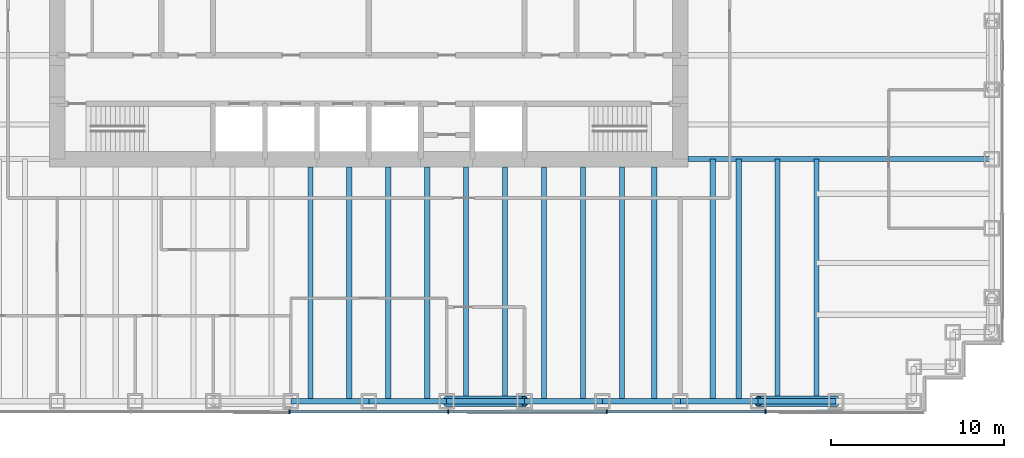
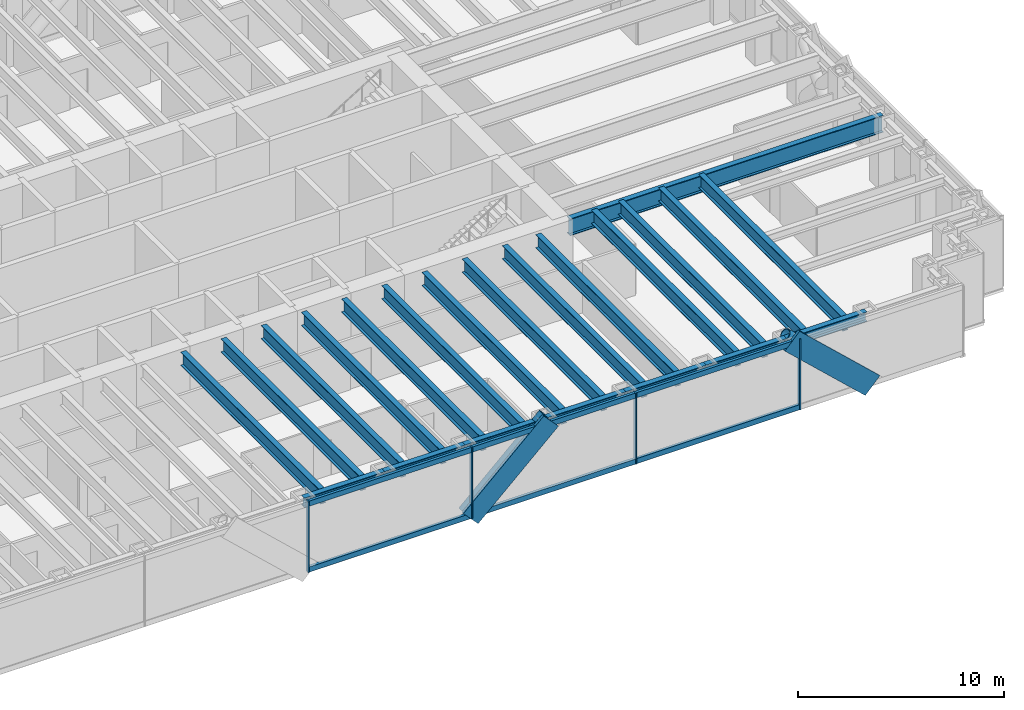
# One storey, part 4 of 17: 22 beams, 14 members, 1 element without a shape of its own.
"""IFC4 building model written with IfcOpenShell, lengths in metres."""

from ifc_helpers import new_model, si_unit, direction, frame, origin, origin_2d, place, context, subcontext, project, spatial, rectangle, hollow_circle, i_section, extrude, material, material_profile, profile_set, type_object, element, aggregate, save


model = new_model("IFC4")

# Units and contexts
model_context = context("Model", 3, precision=1e-05, world=origin(), true_north=direction((0.0, 1.0)))
body_context = subcontext(model_context, "Body", "Model", "MODEL_VIEW")
ifc_project = project(units=[si_unit("LENGTHUNIT", "METRE"), si_unit("AREAUNIT", "SQUARE_METRE"), si_unit("VOLUMEUNIT", "CUBIC_METRE"), si_unit("PLANEANGLEUNIT", "RADIAN"), si_unit("MASSUNIT", "GRAM", prefix="KILO")], contexts=[model_context])

# Site, building, storey
site_placement = place(None, origin())
site = spatial("IfcSite", under=ifc_project, at=site_placement, CompositionType="ELEMENT")
building_placement = place(site_placement, origin())
building = spatial("IfcBuilding", under=site, at=building_placement, Name="Rheinbord Bourse Tower", CompositionType="ELEMENT")
storey_placement = place(building_placement, frame((0.0, 0.0, 159.300048828125)))
storey = spatial("IfcBuildingStorey", under=building, at=storey_placement, Name="L35", CompositionType="ELEMENT", Elevation=159.300048828125)

# Curtain wall, members
ifc_material_1 = material(Name="Dark glass and black aluminium", Category="aluminium")
curtain_wall_type = type_object("IfcCurtainWallType", Name="CW2 DARK GLASS CURTAIN WALL", PredefinedType="USERDEFINED", material=ifc_material_1)
curtain_wall_placement = place(storey_placement, origin())
curtain_wall = element("IfcCurtainWall", 1, at=curtain_wall_placement, inside=storey, type_object=curtain_wall_type, Name="Curtain wall CW2 S L35", ObjectType="UNITISED CURTAIN WALL", PredefinedType="USERDEFINED")
ifc_material_2 = material(Name="Black anodised aluminium", Category="aluminium")
ifc_material_profile_1 = material_profile(ifc_material_2, rectangle(XDim=0.159912109375, YDim=1.2099609375, at=origin_2d()), Name="CW2 DIAGONAL MULLION 1210x160")
ifc_profile_set_1 = profile_set([ifc_material_profile_1], Name="Black anodised aluminium")
member_type_1 = type_object("IfcMemberType", Name="CW2 BLACK DIAGONAL MULLION", PredefinedType="USERDEFINED", material=ifc_profile_set_1)
member_1_placement = place(storey_placement, frame((40.5, 1.39990234375, 0.0), z_axis=(0.73105922506, 0.0, 0.682314010889), x_axis=(0.0, 1.0, 0.0)))
member_1 = element("IfcMember", 2, at=member_1_placement, type_object=member_type_1, Name="CW2 diagonal mullion a", ObjectType="DIAGONAL MULLION", PredefinedType="USERDEFINED", context=body_context, shape_type="SweptSolid", body=[
    extrude(rectangle(XDim=0.159912109375, YDim=1.2099609375, at=origin_2d()), origin(), (0.0, 0.0, 1.0), 6.155517578125),
])
member_2_placement = place(storey_placement, frame((63.0, 1.39990234375, 0.0), z_axis=(-0.73105922506, 0.0, 0.682314010889), x_axis=(0.0, -1.0, 0.0)))
member_2 = element("IfcMember", 3, at=member_2_placement, type_object=member_type_1, Name="CW2 diagonal mullion c", ObjectType="DIAGONAL MULLION", PredefinedType="USERDEFINED", context=body_context, shape_type="SweptSolid", body=[
    extrude(rectangle(XDim=0.159912109375, YDim=1.2099609375, at=origin_2d()), origin(), (0.0, 0.0, 1.0), 6.155517578125),
])
ifc_material_3 = material(Name="Black anodised aluminium", Category="aluminium")
ifc_material_profile_2 = material_profile(ifc_material_3, rectangle(XDim=0.219970703125, YDim=0.070068359375, at=origin_2d()), Name="CW2 MULLION 70x220")
ifc_profile_set_2 = profile_set([ifc_material_profile_2], Name="Black anodised aluminium")
member_type_2 = type_object("IfcMemberType", Name="CW2 BLACK MULLION", PredefinedType="MULLION", material=ifc_profile_set_2)
member_3_placement = place(storey_placement, frame((31.414306640625, 1.39990234375, 0.0), z_axis=(0.0, 0.0, 1.0), x_axis=(0.0, 1.0, 0.0)))
member_3 = element("IfcMember", 4, at=member_3_placement, type_object=member_type_2, Name="CW2 mullion 4", PredefinedType="MULLION", context=body_context, shape_type="SweptSolid", body=[
    extrude(rectangle(XDim=0.219970703125, YDim=0.070068359375, at=origin_2d()), origin(), (0.0, 0.0, 1.0), 4.199951171875),
])
member_4_placement = place(storey_placement, frame((40.585693359375, 1.39990234375, 0.0), z_axis=(0.0, 0.0, 1.0), x_axis=(0.0, 1.0, 0.0)))
member_4 = element("IfcMember", 5, at=member_4_placement, type_object=member_type_2, Name="CW2 mullion 5", PredefinedType="MULLION", context=body_context, shape_type="SweptSolid", body=[
    extrude(rectangle(XDim=0.219970703125, YDim=0.070068359375, at=origin_2d()), origin(), (0.0, 0.0, 1.0), 4.199951171875),
])
member_5_placement = place(storey_placement, frame((49.757080078125, 1.39990234375, 0.0), z_axis=(0.0, 0.0, 1.0), x_axis=(0.0, 1.0, 0.0)))
member_5 = element("IfcMember", 6, at=member_5_placement, type_object=member_type_2, Name="CW2 mullion 6", PredefinedType="MULLION", context=body_context, shape_type="SweptSolid", body=[
    extrude(rectangle(XDim=0.219970703125, YDim=0.070068359375, at=origin_2d()), origin(), (0.0, 0.0, 1.0), 4.199951171875),
])
member_6_placement = place(storey_placement, frame((58.928466796875, 1.39990234375, 0.0), z_axis=(0.0, 0.0, 1.0), x_axis=(0.0, 1.0, 0.0)))
member_6 = element("IfcMember", 7, at=member_6_placement, type_object=member_type_2, Name="CW2 mullion 7", PredefinedType="MULLION", context=body_context, shape_type="SweptSolid", body=[
    extrude(rectangle(XDim=0.219970703125, YDim=0.070068359375, at=origin_2d()), origin(), (0.0, 0.0, 1.0), 4.199951171875),
])
ifc_material_4 = material(Name="Black anodised aluminium", Category="aluminium")
ifc_material_profile_3 = material_profile(ifc_material_4, rectangle(XDim=0.159912109375, YDim=0.300048828125, at=origin_2d()), Name="CW2 TRANSOM 300x160")
ifc_profile_set_3 = profile_set([ifc_material_profile_3], Name="Black anodised aluminium")
member_type_3 = type_object("IfcMemberType", Name="CW2 BLACK TRANSOM", PredefinedType="USERDEFINED", material=ifc_profile_set_3)
member_7_placement = place(storey_placement, frame((31.44921875, 1.39990234375, 0.14990234375), z_axis=(1.0, 0.0, 0.0), x_axis=(0.0, 1.0, 0.0)))
member_7 = element("IfcMember", 8, at=member_7_placement, type_object=member_type_3, Name="CW2 transom 4.1", ObjectType="TRANSOM", PredefinedType="USERDEFINED", context=body_context, shape_type="SweptSolid", body=[
    extrude(rectangle(XDim=0.159912109375, YDim=0.300048828125, at=origin_2d()), origin(), (0.0, 0.0, 1.0), 9.1015625),
])
member_8_placement = place(storey_placement, frame((31.44921875, 1.39990234375, 4.050048828125), z_axis=(1.0, 0.0, 0.0), x_axis=(0.0, 1.0, 0.0)))
member_8 = element("IfcMember", 9, at=member_8_placement, type_object=member_type_3, Name="CW2 transom 4.2", ObjectType="TRANSOM", PredefinedType="USERDEFINED", context=body_context, shape_type="SweptSolid", body=[
    extrude(rectangle(XDim=0.159912109375, YDim=0.300048828125, at=origin_2d()), origin(), (0.0, 0.0, 1.0), 9.1015625),
])
member_9_placement = place(storey_placement, frame((40.62060546875, 1.39990234375, 0.14990234375), z_axis=(1.0, 0.0, 0.0), x_axis=(0.0, 1.0, 0.0)))
member_9 = element("IfcMember", 10, at=member_9_placement, type_object=member_type_3, Name="CW2 transom 5.1", ObjectType="TRANSOM", PredefinedType="USERDEFINED", context=body_context, shape_type="SweptSolid", body=[
    extrude(rectangle(XDim=0.159912109375, YDim=0.300048828125, at=origin_2d()), origin(), (0.0, 0.0, 1.0), 9.1015625),
])
member_10_placement = place(storey_placement, frame((40.62060546875, 1.39990234375, 4.050048828125), z_axis=(1.0, 0.0, 0.0), x_axis=(0.0, 1.0, 0.0)))
member_10 = element("IfcMember", 11, at=member_10_placement, type_object=member_type_3, Name="CW2 transom 5.2", ObjectType="TRANSOM", PredefinedType="USERDEFINED", context=body_context, shape_type="SweptSolid", body=[
    extrude(rectangle(XDim=0.159912109375, YDim=0.300048828125, at=origin_2d()), origin(), (0.0, 0.0, 1.0), 9.1015625),
])
member_11_placement = place(storey_placement, frame((49.792236328125, 1.39990234375, 0.14990234375), z_axis=(1.0, 0.0, 0.0), x_axis=(0.0, 1.0, 0.0)))
member_11 = element("IfcMember", 12, at=member_11_placement, type_object=member_type_3, Name="CW2 transom 6.1", ObjectType="TRANSOM", PredefinedType="USERDEFINED", context=body_context, shape_type="SweptSolid", body=[
    extrude(rectangle(XDim=0.159912109375, YDim=0.300048828125, at=origin_2d()), origin(), (0.0, 0.0, 1.0), 9.101318359375),
])
member_12_placement = place(storey_placement, frame((49.792236328125, 1.39990234375, 4.050048828125), z_axis=(1.0, 0.0, 0.0), x_axis=(0.0, 1.0, 0.0)))
member_12 = element("IfcMember", 13, at=member_12_placement, type_object=member_type_3, Name="CW2 transom 6.2", ObjectType="TRANSOM", PredefinedType="USERDEFINED", context=body_context, shape_type="SweptSolid", body=[
    extrude(rectangle(XDim=0.159912109375, YDim=0.300048828125, at=origin_2d()), origin(), (0.0, 0.0, 1.0), 9.101318359375),
])
aggregate(curtain_wall, [member_3, member_4, member_5, member_6, member_7, member_8, member_9, member_10, member_11, member_12, member_1, member_2])

# Beams
ifc_material_5 = material(Name="Steel S460", Category="steel")
ifc_material_profile_4 = material_profile(ifc_material_5, i_section(OverallWidth=0.300048828125, OverallDepth=0.800048828125, WebThickness=0.017578125, FlangeThickness=0.032958984375, at=origin_2d()), Name="HEB 800")
ifc_profile_set_4 = profile_set([ifc_material_profile_4], Name="Steel S460")
beam_type_1 = type_object("IfcBeamType", Name="FLOOR BEAM HEB 800", PredefinedType="BEAM", material=ifc_profile_set_4)
for number, where, z_axis, x_axis, name in (
    (14, (32.625, 2.0, 3.639892578125), (0.0, 1.0, 0.0), (-1.0, 0.0, 0.0), "Floor beam S-31.5a L36"),
    (15, (34.875, 2.0, 3.639892578125), (0.0, 1.0, 0.0), (-1.0, 0.0, 0.0), "Floor beam S-31.5b L36"),
    (16, (37.125, 2.0, 3.639892578125), (0.0, 1.0, 0.0), (-1.0, 0.0, 0.0), "Floor beam S-36a L36"),
    (17, (39.375, 2.0, 3.639892578125), (0.0, 1.0, 0.0), (-1.0, 0.0, 0.0), "Floor beam S-36b L36"),
    (18, (41.625, 2.0, 3.639892578125), (0.0, 1.0, 0.0), (-1.0, 0.0, 0.0), "Floor beam S-40.5a L36"),
    (19, (43.875, 2.0, 3.639892578125), (0.0, 1.0, 0.0), (-1.0, 0.0, 0.0), "Floor beam S-40.5b L36"),
    (20, (46.125, 2.0, 3.639892578125), (0.0, 1.0, 0.0), (-1.0, 0.0, 0.0), "Floor beam S-45a L36"),
    (21, (48.375, 2.0, 3.639892578125), (0.0, 1.0, 0.0), (-1.0, 0.0, 0.0), "Floor beam S-45b L36"),
    (22, (50.625, 2.0, 3.639892578125), (0.0, 1.0, 0.0), (-1.0, 0.0, 0.0), "Floor beam S-49.5a L36"),
    (23, (52.5, 2.0, 3.639892578125), (0.0, 1.0, 0.0), (-1.0, 0.0, 0.0), "Floor beam S-49.5b L36"),
):
    element("IfcBeam", number, at=place(storey_placement, frame(where, z_axis=z_axis, x_axis=x_axis)), inside=storey, type_object=beam_type_1, Name=name, PredefinedType="BEAM", context=body_context, shape_type="SweptSolid", body=[
        extrude(i_section(OverallWidth=0.300048828125, OverallDepth=0.800048828125, WebThickness=0.017578125, FlangeThickness=0.032958984375, at=origin_2d()), origin(), (0.0, 0.0, 1.0), 13.550048828125),
    ])
for number, where, z_axis, x_axis, name in (
    (24, (55.875, 2.0, 3.639892578125), (0.0, 1.0, 0.0), (-1.0, 0.0, 0.0), "Floor beam S-54a L36"),
    (25, (57.375, 2.0, 3.639892578125), (0.0, 1.0, 0.0), (-1.0, 0.0, 0.0), "Floor beam S-54b L36"),
    (26, (59.625, 2.0, 3.639892578125), (0.0, 1.0, 0.0), (-1.0, 0.0, 0.0), "Floor beam S-58.5a L36"),
    (27, (61.875, 2.0, 3.639892578125), (0.0, 1.0, 0.0), (-1.0, 0.0, 0.0), "Floor beam S-58.5b L36"),
):
    element("IfcBeam", number, at=place(storey_placement, frame(where, z_axis=z_axis, x_axis=x_axis)), inside=storey, type_object=beam_type_1, Name=name, PredefinedType="BEAM", context=body_context, shape_type="SweptSolid", body=[
        extrude(i_section(OverallWidth=0.300048828125, OverallDepth=0.800048828125, WebThickness=0.017578125, FlangeThickness=0.032958984375, at=origin_2d()), origin(), (0.0, 0.0, 1.0), 14.0),
    ])
ifc_material_6 = material(Name="Steel S460", Category="steel")
ifc_material_profile_5 = material_profile(ifc_material_6, i_section(OverallWidth=0.302001953125, OverallDepth=1.008056640625, WebThickness=0.02099609375, FlangeThickness=0.0400390625, at=origin_2d()), Name="HEM 1000")
ifc_profile_set_5 = profile_set([ifc_material_profile_5], Name="Steel S460")
beam_type_2 = type_object("IfcBeamType", Name="GIRDER HEM 1000", PredefinedType="BEAM", material=ifc_profile_set_5)
beam_placement = place(storey_placement, frame((54.449951171875, 16.0, 3.535888671875), z_axis=(1.0, 0.0, 0.0), x_axis=(0.0, 1.0, 0.0)))
element("IfcBeam", 28, at=beam_placement, inside=storey, type_object=beam_type_2, Name="Girder east 16 L36", PredefinedType="BEAM", context=body_context, shape_type="SweptSolid", body=[
    extrude(i_section(OverallWidth=0.302001953125, OverallDepth=1.008056640625, WebThickness=0.02099609375, FlangeThickness=0.0400390625, at=origin_2d()), origin(), (0.0, 0.0, 1.0), 17.550048828125),
])

# Members
ifc_material_7 = material(Name="Steel S460", Category="steel")
ifc_material_profile_6 = material_profile(ifc_material_7, hollow_circle(Radius=0.304931640625, WallThickness=0.0400390625, at=origin_2d()), Name="CHS 610x40")
ifc_profile_set_6 = profile_set([ifc_material_profile_6], Name="Steel S460")
member_type_4 = type_object("IfcMemberType", Name="MEGABRACE CHS 610x40", PredefinedType="BRACE", material=ifc_profile_set_6)
for number, where, z_axis, x_axis, name in (
    (29, (40.5, 2.0, 0.0), (0.73105922506, 0.0, 0.682314010889), (0.0, 1.0, 0.0), "Megabrace S face line a L35"),
    (30, (63.0, 2.0, 0.0), (-0.73105922506, 0.0, 0.682314010889), (0.0, -1.0, 0.0), "Megabrace S face line c L35"),
):
    element("IfcMember", number, at=place(storey_placement, frame(where, z_axis=z_axis, x_axis=x_axis)), inside=storey, type_object=member_type_4, Name=name, PredefinedType="BRACE", context=body_context, shape_type="SweptSolid", body=[
        extrude(hollow_circle(Radius=0.304931640625, WallThickness=0.0400390625, at=origin_2d()), origin(), (0.0, 0.0, 1.0), 6.155517578125),
    ])

# Beams
ifc_material_8 = material(Name="Steel S460", Category="steel")
ifc_material_profile_7 = material_profile(ifc_material_8, i_section(OverallWidth=0.305908203125, OverallDepth=0.572021484375, WebThickness=0.02099609375, FlangeThickness=0.0400390625, at=origin_2d()), Name="HEM 550")
ifc_profile_set_7 = profile_set([ifc_material_profile_7], Name="Steel S460")
beam_type_3 = type_object("IfcBeamType", Name="SPANDREL HEM 550", PredefinedType="SPANDREL", material=ifc_profile_set_7)
for number, where, z_axis, x_axis, name in (
    (31, (31.5, 2.0, 3.75390625), (1.0, 0.0, 0.0), (0.0, 1.0, 0.0), "Spandrel S-31.5-S-36 under L36"),
    (32, (36.0, 2.0, 3.75390625), (1.0, 0.0, 0.0), (0.0, 1.0, 0.0), "Spandrel S-36-S-40.5 under L36"),
    (33, (40.5, 2.0, 3.75390625), (1.0, 0.0, 0.0), (0.0, 1.0, 0.0), "Spandrel S-40.5-S-45 under L36"),
    (34, (45.0, 2.0, 3.75390625), (1.0, 0.0, 0.0), (0.0, 1.0, 0.0), "Spandrel S-45-S-49.5 under L36"),
    (35, (49.5, 2.0, 3.75390625), (1.0, 0.0, 0.0), (0.0, 1.0, 0.0), "Spandrel S-49.5-S-54 under L36"),
    (36, (54.0, 2.0, 3.75390625), (1.0, 0.0, 0.0), (0.0, 1.0, 0.0), "Spandrel S-54-S-58.5 under L36"),
    (37, (58.5, 2.0, 3.75390625), (1.0, 0.0, 0.0), (0.0, 1.0, 0.0), "Spandrel S-58.5-S-63 under L36"),
):
    element("IfcBeam", number, at=place(storey_placement, frame(where, z_axis=z_axis, x_axis=x_axis)), inside=storey, type_object=beam_type_3, Name=name, PredefinedType="SPANDREL", context=body_context, shape_type="SweptSolid", body=[
        extrude(i_section(OverallWidth=0.305908203125, OverallDepth=0.572021484375, WebThickness=0.02099609375, FlangeThickness=0.0400390625, at=origin_2d()), origin(), (0.0, 0.0, 1.0), 4.5),
    ])

save(model, "model.ifc")
